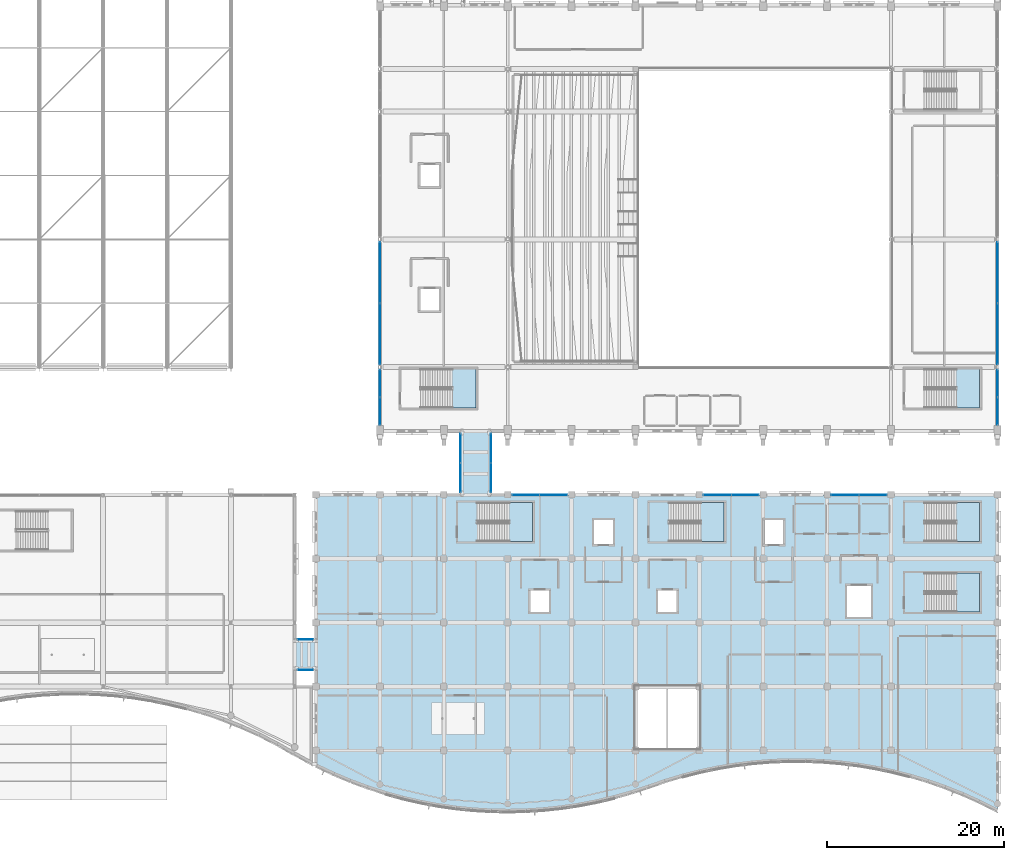
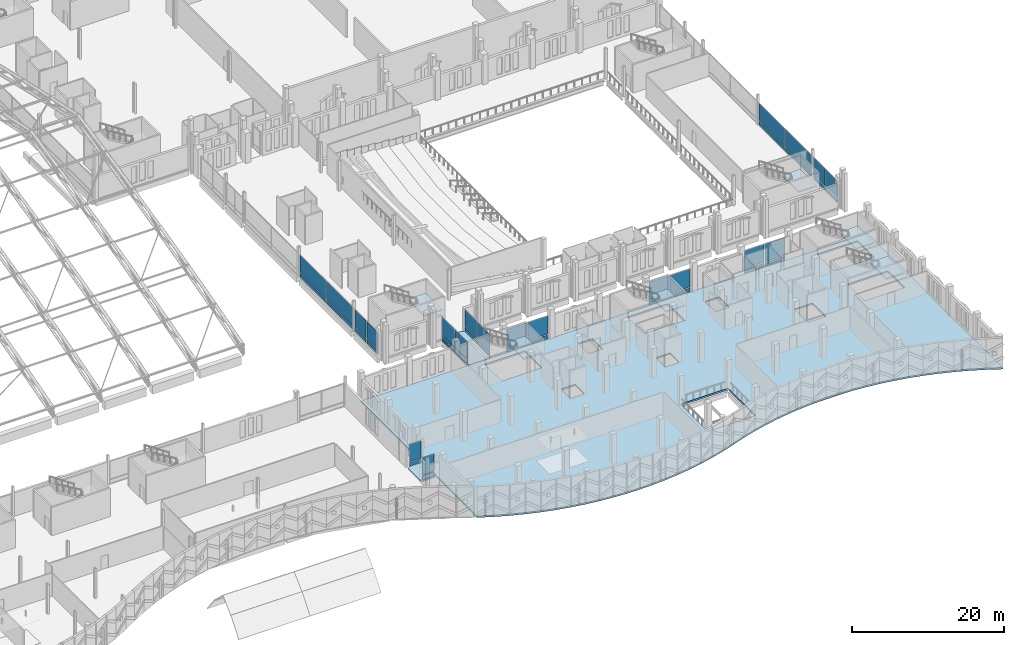
# One storey, part 117 of 193: 40 plates, 9 slabs, 17 elements without a shape of their own.
"""IFC4 building model written with IfcOpenShell, lengths in metres."""

from ifc_helpers import new_model, si_unit, direction, frame, origin, origin_2d, place, context, subcontext, project, spatial, polyline, rectangle, outline, extrude, material, layer, layer_set, type_object, element, aggregate, save


model = new_model("IFC4")

# Units and contexts
model_context = context("Model", 3, precision=1e-05, world=origin(), true_north=direction((0.0, 1.0)))
body_context = subcontext(model_context, "Body", "Model", "MODEL_VIEW")
ifc_project = project(units=[si_unit("LENGTHUNIT", "METRE"), si_unit("AREAUNIT", "SQUARE_METRE"), si_unit("VOLUMEUNIT", "CUBIC_METRE"), si_unit("PLANEANGLEUNIT", "RADIAN"), si_unit("MASSUNIT", "GRAM", prefix="KILO")], contexts=[model_context])

# Site, building, storey
site_placement = place(None, origin())
site = spatial("IfcSite", under=ifc_project, at=site_placement, CompositionType="ELEMENT")
building_placement = place(site_placement, origin())
building = spatial("IfcBuilding", under=site, at=building_placement, Name="Cendralis Lancet Convention Centre", CompositionType="ELEMENT")
storey_placement = place(building_placement, frame((0.0, 0.0, 10.199951171875)))
storey = spatial("IfcBuildingStorey", under=building, at=storey_placement, Name="L02", CompositionType="ELEMENT", Elevation=10.199951171875)

# Curtain wall, plate
ifc_material_1 = material(Name="Anodised bronze architectural aluminium", Category="aluminium")
curtain_wall_type_1 = type_object("IfcCurtainWallType", Name="ARC-CW-BR01", PredefinedType="USERDEFINED", material=ifc_material_1)
curtain_wall_1_placement = place(storey_placement, origin())
curtain_wall_1 = element("IfcCurtainWall", 1, at=curtain_wall_1_placement, inside=storey, type_object=curtain_wall_type_1, Name="L02 Curtain Wall CW-BR1 #205", ObjectType="CURTAIN WALL", PredefinedType="USERDEFINED")
ifc_material_2 = material(Name="Double-glazed low-E solar-control glass", Category="glass")
ifc_layer_1 = layer(ifc_material_2, 0.035888671875, Name="Double-glazed low-E solar-control glass")
ifc_layer_set_1 = layer_set([ifc_layer_1], Name="Double-glazed low-E solar-control glass")
plate_type_1 = type_object("IfcPlateType", Name="ARC-PL-GL01", PredefinedType="CURTAIN_PANEL", material=ifc_layer_set_1)
plate_1_placement = place(storey_placement, frame((130.800048828125, 16.280029296875, 0.81982421875), z_axis=(0.0, 0.0, 1.0), x_axis=(1.0, 0.0, 0.0)))
plate_1 = element("IfcPlate", 2, at=plate_1_placement, type_object=plate_type_1, Name="Vision Glass Panel CW2-CW-BR1-L02-205-PG0", PredefinedType="CURTAIN_PANEL", context=body_context, shape_type="SweptSolid", body=[
    extrude(rectangle(XDim=1.760009765625, YDim=0.035888671875, at=origin_2d()), origin(), (0.0, 0.0, 1.0), 2.760009765625),
])

curtain_wall_2_placement = place(storey_placement, origin())
curtain_wall_2 = element("IfcCurtainWall", 3, at=curtain_wall_2_placement, inside=storey, type_object=curtain_wall_type_1, Name="L02 Curtain Wall CW-BR1 #206", ObjectType="CURTAIN WALL", PredefinedType="USERDEFINED")
plate_2_placement = place(storey_placement, frame((130.800048828125, 19.719970703125, 0.81982421875), z_axis=(0.0, 0.0, 1.0), x_axis=(1.0, 0.0, 0.0)))
plate_2 = element("IfcPlate", 4, at=plate_2_placement, type_object=plate_type_1, Name="Vision Glass Panel CW2-CW-BR1-L02-206-PG0", PredefinedType="CURTAIN_PANEL", context=body_context, shape_type="SweptSolid", body=[
    extrude(rectangle(XDim=1.760009765625, YDim=0.035888671875, at=origin_2d()), origin(), (0.0, 0.0, 1.0), 2.760009765625),
])

# Curtain wall, plates
curtain_wall_3_placement = place(storey_placement, origin())
curtain_wall_3 = element("IfcCurtainWall", 5, at=curtain_wall_3_placement, inside=storey, type_object=curtain_wall_type_1, Name="L02 Curtain Wall CW-BR1 #215", ObjectType="CURTAIN WALL", PredefinedType="USERDEFINED")
plate_3_placement = place(storey_placement, frame((148.280029296875, 37.925048828125, 0.81982421875), z_axis=(0.0, 0.0, 1.0), x_axis=(0.0, 1.0, 0.0)))
plate_3 = element("IfcPlate", 6, at=plate_3_placement, type_object=plate_type_1, Name="Vision Glass Panel CW2-CW-BR1-L02-215-PG0", PredefinedType="CURTAIN_PANEL", context=body_context, shape_type="SweptSolid", body=[
    extrude(rectangle(XDim=3.2099609375, YDim=0.035888671875, at=origin_2d()), origin(), (0.0, 0.0, 1.0), 2.760009765625),
])
plate_4_placement = place(storey_placement, frame((148.280029296875, 41.27490234375, 0.81982421875), z_axis=(0.0, 0.0, 1.0), x_axis=(0.0, 1.0, 0.0)))
plate_4 = element("IfcPlate", 7, at=plate_4_placement, type_object=plate_type_1, Name="Vision Glass Panel CW2-CW-BR1-L02-215-PG1", PredefinedType="CURTAIN_PANEL", context=body_context, shape_type="SweptSolid", body=[
    extrude(rectangle(XDim=3.2099609375, YDim=0.035888671875, at=origin_2d()), origin(), (0.0, 0.0, 1.0), 2.760009765625),
])

curtain_wall_4_placement = place(storey_placement, origin())
curtain_wall_4 = element("IfcCurtainWall", 8, at=curtain_wall_4_placement, inside=storey, type_object=curtain_wall_type_1, Name="L02 Curtain Wall CW-BR1 #216", ObjectType="CURTAIN WALL", PredefinedType="USERDEFINED")
plate_5_placement = place(storey_placement, frame((151.719970703125, 37.925048828125, 0.81982421875), z_axis=(0.0, 0.0, 1.0), x_axis=(0.0, 1.0, 0.0)))
plate_5 = element("IfcPlate", 9, at=plate_5_placement, type_object=plate_type_1, Name="Vision Glass Panel CW2-CW-BR1-L02-216-PG0", PredefinedType="CURTAIN_PANEL", context=body_context, shape_type="SweptSolid", body=[
    extrude(rectangle(XDim=3.2099609375, YDim=0.035888671875, at=origin_2d()), origin(), (0.0, 0.0, 1.0), 2.760009765625),
])
plate_6_placement = place(storey_placement, frame((151.719970703125, 41.27490234375, 0.81982421875), z_axis=(0.0, 0.0, 1.0), x_axis=(0.0, 1.0, 0.0)))
plate_6 = element("IfcPlate", 10, at=plate_6_placement, type_object=plate_type_1, Name="Vision Glass Panel CW2-CW-BR1-L02-216-PG1", PredefinedType="CURTAIN_PANEL", context=body_context, shape_type="SweptSolid", body=[
    extrude(rectangle(XDim=3.2099609375, YDim=0.035888671875, at=origin_2d()), origin(), (0.0, 0.0, 1.0), 2.760009765625),
])

curtain_wall_type_2 = type_object("IfcCurtainWallType", Name="ARC-CW-PL02", PredefinedType="USERDEFINED", material=ifc_material_1)
curtain_wall_5_placement = place(storey_placement, origin())
curtain_wall_5 = element("IfcCurtainWall", 11, at=curtain_wall_5_placement, inside=storey, type_object=curtain_wall_type_2, Name="L02 Curtain Wall CW-PL2 #131", ObjectType="CURTAIN WALL", PredefinedType="USERDEFINED")
ifc_layer_2 = layer(ifc_material_2, 0.035888671875, Name="Double-glazed low-E solar-control glass")
ifc_layer_set_2 = layer_set([ifc_layer_2], Name="Double-glazed low-E solar-control glass")
plate_type_2 = type_object("IfcPlateType", Name="ARC-PL-GL02", PredefinedType="CURTAIN_PANEL", material=ifc_layer_set_2)
plate_7_placement = place(storey_placement, frame((208.800048828125, 48.59375, 0.830078125), z_axis=(0.0, 0.0, 1.0), x_axis=(0.0, -1.0, 0.0)))
plate_7 = element("IfcPlate", 12, at=plate_7_placement, type_object=plate_type_2, Name="Vision Glass Panel CW2-CW-PL2-L02-131-PG0", PredefinedType="CURTAIN_PANEL", context=body_context, shape_type="SweptSolid", body=[
    extrude(rectangle(XDim=3.00244140625, YDim=0.035888671875, at=origin_2d()), origin(), (0.0, 0.0, 1.0), 2.764892578125),
])
plate_8_placement = place(storey_placement, frame((208.800048828125, 45.43115234375, 0.830078125), z_axis=(0.0, 0.0, 1.0), x_axis=(0.0, -1.0, 0.0)))
plate_8 = element("IfcPlate", 13, at=plate_8_placement, type_object=plate_type_2, Name="Vision Glass Panel CW2-CW-PL2-L02-131-PG1", PredefinedType="CURTAIN_PANEL", context=body_context, shape_type="SweptSolid", body=[
    extrude(rectangle(XDim=3.00244140625, YDim=0.035888671875, at=origin_2d()), origin(), (0.0, 0.0, 1.0), 2.764892578125),
])

curtain_wall_6_placement = place(storey_placement, origin())
curtain_wall_6 = element("IfcCurtainWall", 14, at=curtain_wall_6_placement, inside=storey, type_object=curtain_wall_type_2, Name="L02 Curtain Wall CW-PL2 #132", ObjectType="CURTAIN WALL", PredefinedType="USERDEFINED")
plate_9_placement = place(storey_placement, frame((208.800048828125, 61.08740234375, 0.830078125), z_axis=(0.0, 0.0, 1.0), x_axis=(0.0, -1.0, 0.0)))
plate_9 = element("IfcPlate", 15, at=plate_9_placement, type_object=plate_type_2, Name="Vision Glass Panel CW2-CW-PL2-L02-132-PG0", PredefinedType="CURTAIN_PANEL", context=body_context, shape_type="SweptSolid", body=[
    extrude(rectangle(XDim=6.81494140625, YDim=0.035888671875, at=origin_2d()), origin(), (0.0, 0.0, 1.0), 2.764892578125),
])
plate_10_placement = place(storey_placement, frame((208.800048828125, 54.112548828125, 0.830078125), z_axis=(0.0, 0.0, 1.0), x_axis=(0.0, -1.0, 0.0)))
plate_10 = element("IfcPlate", 16, at=plate_10_placement, type_object=plate_type_2, Name="Vision Glass Panel CW2-CW-PL2-L02-132-PG1", PredefinedType="CURTAIN_PANEL", context=body_context, shape_type="SweptSolid", body=[
    extrude(rectangle(XDim=6.81494140625, YDim=0.035888671875, at=origin_2d()), origin(), (0.0, 0.0, 1.0), 2.764892578125),
])

curtain_wall_7_placement = place(storey_placement, origin())
curtain_wall_7 = element("IfcCurtainWall", 17, at=curtain_wall_7_placement, inside=storey, type_object=curtain_wall_type_2, Name="L02 Curtain Wall CW-PL2 #126", ObjectType="CURTAIN WALL", PredefinedType="USERDEFINED")
ifc_layer_3 = layer(ifc_material_2, 0.035888671875, Name="Double-glazed low-E solar-control glass")
ifc_layer_set_3 = layer_set([ifc_layer_3], Name="Double-glazed low-E solar-control glass")
plate_type_3 = type_object("IfcPlateType", Name="ARC-PL-GL03", PredefinedType="CURTAIN_PANEL", material=ifc_layer_set_3)
plate_11_placement = place(storey_placement, frame((139.199951171875, 45.43115234375, 0.8203125), z_axis=(0.0, 0.0, 1.0), x_axis=(0.0, 1.0, 0.0)))
plate_11 = element("IfcPlate", 18, at=plate_11_placement, type_object=plate_type_3, Name="Vision Glass Panel CW2-CW-PL2-L02-126-PG0", PredefinedType="CURTAIN_PANEL", context=body_context, shape_type="SweptSolid", body=[
    extrude(rectangle(XDim=3.00244140625, YDim=0.035888671875, at=origin_2d()), origin(), (0.0, 0.0, 1.0), 2.784912109375),
])
plate_12_placement = place(storey_placement, frame((139.199951171875, 48.59375, 0.8203125), z_axis=(0.0, 0.0, 1.0), x_axis=(0.0, 1.0, 0.0)))
plate_12 = element("IfcPlate", 19, at=plate_12_placement, type_object=plate_type_3, Name="Vision Glass Panel CW2-CW-PL2-L02-126-PG1", PredefinedType="CURTAIN_PANEL", context=body_context, shape_type="SweptSolid", body=[
    extrude(rectangle(XDim=3.00244140625, YDim=0.035888671875, at=origin_2d()), origin(), (0.0, 0.0, 1.0), 2.784912109375),
])

curtain_wall_8_placement = place(storey_placement, origin())
curtain_wall_8 = element("IfcCurtainWall", 20, at=curtain_wall_8_placement, inside=storey, type_object=curtain_wall_type_2, Name="L02 Curtain Wall CW-PL2 #127", ObjectType="CURTAIN WALL", PredefinedType="USERDEFINED")
plate_13_placement = place(storey_placement, frame((139.199951171875, 54.112548828125, 0.8203125), z_axis=(0.0, 0.0, 1.0), x_axis=(0.0, 1.0, 0.0)))
plate_13 = element("IfcPlate", 21, at=plate_13_placement, type_object=plate_type_3, Name="Vision Glass Panel CW2-CW-PL2-L02-127-PG0", PredefinedType="CURTAIN_PANEL", context=body_context, shape_type="SweptSolid", body=[
    extrude(rectangle(XDim=6.81494140625, YDim=0.035888671875, at=origin_2d()), origin(), (0.0, 0.0, 1.0), 2.784912109375),
])
plate_14_placement = place(storey_placement, frame((139.199951171875, 61.08740234375, 0.8203125), z_axis=(0.0, 0.0, 1.0), x_axis=(0.0, 1.0, 0.0)))
plate_14 = element("IfcPlate", 22, at=plate_14_placement, type_object=plate_type_3, Name="Vision Glass Panel CW2-CW-PL2-L02-127-PG1", PredefinedType="CURTAIN_PANEL", context=body_context, shape_type="SweptSolid", body=[
    extrude(rectangle(XDim=6.81494140625, YDim=0.035888671875, at=origin_2d()), origin(), (0.0, 0.0, 1.0), 2.784912109375),
])

curtain_wall_type_3 = type_object("IfcCurtainWallType", Name="ARC-CW-CL02", PredefinedType="USERDEFINED", material=ifc_material_1)
curtain_wall_9_placement = place(storey_placement, origin())
curtain_wall_9 = element("IfcCurtainWall", 23, at=curtain_wall_9_placement, inside=storey, type_object=curtain_wall_type_3, Name="L02 Curtain Wall CW-CL2 #185", ObjectType="CURTAIN WALL", PredefinedType="USERDEFINED")
plate_15_placement = place(storey_placement, frame((155.612548828125, 36.0, 0.81982421875), z_axis=(0.0, 0.0, 1.0), x_axis=(1.0, 0.0, 0.0)))
plate_15 = element("IfcPlate", 24, at=plate_15_placement, type_object=plate_type_3, Name="Vision Glass Panel CW2-CW-CL2-L02-185-PG0", PredefinedType="CURTAIN_PANEL", context=body_context, shape_type="SweptSolid", body=[
    extrude(rectangle(XDim=3.034912109375, YDim=0.035888671875, at=origin_2d()), origin(), (0.0, 0.0, 1.0), 2.885009765625),
])
plate_16_placement = place(storey_placement, frame((158.78759765625, 36.0, 0.81982421875), z_axis=(0.0, 0.0, 1.0), x_axis=(1.0, 0.0, 0.0)))
plate_16 = element("IfcPlate", 25, at=plate_16_placement, type_object=plate_type_3, Name="Vision Glass Panel CW2-CW-CL2-L02-185-PG1", PredefinedType="CURTAIN_PANEL", context=body_context, shape_type="SweptSolid", body=[
    extrude(rectangle(XDim=3.034912109375, YDim=0.035888671875, at=origin_2d()), origin(), (0.0, 0.0, 1.0), 2.885009765625),
])

curtain_wall_10_placement = place(storey_placement, origin())
curtain_wall_10 = element("IfcCurtainWall", 26, at=curtain_wall_10_placement, inside=storey, type_object=curtain_wall_type_3, Name="L02 Curtain Wall CW-CL2 #186", ObjectType="CURTAIN WALL", PredefinedType="USERDEFINED")
plate_17_placement = place(storey_placement, frame((177.21240234375, 36.0, 0.81982421875), z_axis=(0.0, 0.0, 1.0), x_axis=(1.0, 0.0, 0.0)))
plate_17 = element("IfcPlate", 27, at=plate_17_placement, type_object=plate_type_3, Name="Vision Glass Panel CW2-CW-CL2-L02-186-PG0", PredefinedType="CURTAIN_PANEL", context=body_context, shape_type="SweptSolid", body=[
    extrude(rectangle(XDim=3.034912109375, YDim=0.035888671875, at=origin_2d()), origin(), (0.0, 0.0, 1.0), 2.885009765625),
])
plate_18_placement = place(storey_placement, frame((180.387451171875, 36.0, 0.81982421875), z_axis=(0.0, 0.0, 1.0), x_axis=(1.0, 0.0, 0.0)))
plate_18 = element("IfcPlate", 28, at=plate_18_placement, type_object=plate_type_3, Name="Vision Glass Panel CW2-CW-CL2-L02-186-PG1", PredefinedType="CURTAIN_PANEL", context=body_context, shape_type="SweptSolid", body=[
    extrude(rectangle(XDim=3.034912109375, YDim=0.035888671875, at=origin_2d()), origin(), (0.0, 0.0, 1.0), 2.885009765625),
])

curtain_wall_11_placement = place(storey_placement, origin())
curtain_wall_11 = element("IfcCurtainWall", 29, at=curtain_wall_11_placement, inside=storey, type_object=curtain_wall_type_3, Name="L02 Curtain Wall CW-CL2 #187", ObjectType="CURTAIN WALL", PredefinedType="USERDEFINED")
plate_19_placement = place(storey_placement, frame((191.612548828125, 36.0, 0.81982421875), z_axis=(0.0, 0.0, 1.0), x_axis=(1.0, 0.0, 0.0)))
plate_19 = element("IfcPlate", 30, at=plate_19_placement, type_object=plate_type_3, Name="Vision Glass Panel CW2-CW-CL2-L02-187-PG0", PredefinedType="CURTAIN_PANEL", context=body_context, shape_type="SweptSolid", body=[
    extrude(rectangle(XDim=3.034912109375, YDim=0.035888671875, at=origin_2d()), origin(), (0.0, 0.0, 1.0), 2.885009765625),
])
plate_20_placement = place(storey_placement, frame((194.78759765625, 36.0, 0.81982421875), z_axis=(0.0, 0.0, 1.0), x_axis=(1.0, 0.0, 0.0)))
plate_20 = element("IfcPlate", 31, at=plate_20_placement, type_object=plate_type_3, Name="Vision Glass Panel CW2-CW-CL2-L02-187-PG1", PredefinedType="CURTAIN_PANEL", context=body_context, shape_type="SweptSolid", body=[
    extrude(rectangle(XDim=3.034912109375, YDim=0.035888671875, at=origin_2d()), origin(), (0.0, 0.0, 1.0), 2.885009765625),
])

# Plate
ifc_material_3 = material(Name="Insulated ceramic-fritted spandrel glass", Category="glass")
ifc_layer_4 = layer(ifc_material_3, 0.044921875, Name="Insulated ceramic-fritted spandrel glass")
ifc_layer_set_4 = layer_set([ifc_layer_4], Name="Insulated ceramic-fritted spandrel glass")
plate_type_4 = type_object("IfcPlateType", Name="ARC-PL-SP01", PredefinedType="CURTAIN_PANEL", material=ifc_layer_set_4)
plate_21_placement = place(storey_placement, frame((139.199951171875, 45.43115234375, 0.06982421875), z_axis=(0.0, 0.0, 1.0), x_axis=(0.0, 1.0, 0.0)))
plate_21 = element("IfcPlate", 32, at=plate_21_placement, type_object=plate_type_4, Name="Spandrel Panel CW2-CW-PL2-L02-126-PS0", PredefinedType="CURTAIN_PANEL", context=body_context, shape_type="SweptSolid", body=[
    extrude(rectangle(XDim=3.00244140625, YDim=0.044921875, at=origin_2d()), origin(), (0.0, 0.0, 1.0), 0.610107421875),
])

plate_22_placement = place(storey_placement, frame((139.199951171875, 48.59375, 0.06982421875), z_axis=(0.0, 0.0, 1.0), x_axis=(0.0, 1.0, 0.0)))
plate_22 = element("IfcPlate", 33, at=plate_22_placement, type_object=plate_type_4, Name="Spandrel Panel CW2-CW-PL2-L02-126-PS1", PredefinedType="CURTAIN_PANEL", context=body_context, shape_type="SweptSolid", body=[
    extrude(rectangle(XDim=3.00244140625, YDim=0.044921875, at=origin_2d()), origin(), (0.0, 0.0, 1.0), 0.610107421875),
])

aggregate(curtain_wall_7, [plate_21, plate_11, plate_22, plate_12])

plate_23_placement = place(storey_placement, frame((139.199951171875, 54.112548828125, 0.06982421875), z_axis=(0.0, 0.0, 1.0), x_axis=(0.0, 1.0, 0.0)))
plate_23 = element("IfcPlate", 34, at=plate_23_placement, type_object=plate_type_4, Name="Spandrel Panel CW2-CW-PL2-L02-127-PS0", PredefinedType="CURTAIN_PANEL", context=body_context, shape_type="SweptSolid", body=[
    extrude(rectangle(XDim=6.81494140625, YDim=0.044921875, at=origin_2d()), origin(), (0.0, 0.0, 1.0), 0.610107421875),
])

plate_24_placement = place(storey_placement, frame((139.199951171875, 61.08740234375, 0.06982421875), z_axis=(0.0, 0.0, 1.0), x_axis=(0.0, 1.0, 0.0)))
plate_24 = element("IfcPlate", 35, at=plate_24_placement, type_object=plate_type_4, Name="Spandrel Panel CW2-CW-PL2-L02-127-PS1", PredefinedType="CURTAIN_PANEL", context=body_context, shape_type="SweptSolid", body=[
    extrude(rectangle(XDim=6.81494140625, YDim=0.044921875, at=origin_2d()), origin(), (0.0, 0.0, 1.0), 0.610107421875),
])

aggregate(curtain_wall_8, [plate_23, plate_13, plate_24, plate_14])

plate_25_placement = place(storey_placement, frame((208.800048828125, 48.59375, 0.080078125), z_axis=(0.0, 0.0, 1.0), x_axis=(0.0, -1.0, 0.0)))
plate_25 = element("IfcPlate", 36, at=plate_25_placement, type_object=plate_type_4, Name="Spandrel Panel CW2-CW-PL2-L02-131-PS0", PredefinedType="CURTAIN_PANEL", context=body_context, shape_type="SweptSolid", body=[
    extrude(rectangle(XDim=3.00244140625, YDim=0.044921875, at=origin_2d()), origin(), (0.0, 0.0, 1.0), 0.590087890625),
])

plate_26_placement = place(storey_placement, frame((208.800048828125, 45.43115234375, 0.080078125), z_axis=(0.0, 0.0, 1.0), x_axis=(0.0, -1.0, 0.0)))
plate_26 = element("IfcPlate", 37, at=plate_26_placement, type_object=plate_type_4, Name="Spandrel Panel CW2-CW-PL2-L02-131-PS1", PredefinedType="CURTAIN_PANEL", context=body_context, shape_type="SweptSolid", body=[
    extrude(rectangle(XDim=3.00244140625, YDim=0.044921875, at=origin_2d()), origin(), (0.0, 0.0, 1.0), 0.590087890625),
])

aggregate(curtain_wall_5, [plate_25, plate_7, plate_26, plate_8])

plate_27_placement = place(storey_placement, frame((208.800048828125, 61.08740234375, 0.080078125), z_axis=(0.0, 0.0, 1.0), x_axis=(0.0, -1.0, 0.0)))
plate_27 = element("IfcPlate", 38, at=plate_27_placement, type_object=plate_type_4, Name="Spandrel Panel CW2-CW-PL2-L02-132-PS0", PredefinedType="CURTAIN_PANEL", context=body_context, shape_type="SweptSolid", body=[
    extrude(rectangle(XDim=6.81494140625, YDim=0.044921875, at=origin_2d()), origin(), (0.0, 0.0, 1.0), 0.590087890625),
])

plate_28_placement = place(storey_placement, frame((208.800048828125, 54.112548828125, 0.080078125), z_axis=(0.0, 0.0, 1.0), x_axis=(0.0, -1.0, 0.0)))
plate_28 = element("IfcPlate", 39, at=plate_28_placement, type_object=plate_type_4, Name="Spandrel Panel CW2-CW-PL2-L02-132-PS1", PredefinedType="CURTAIN_PANEL", context=body_context, shape_type="SweptSolid", body=[
    extrude(rectangle(XDim=6.81494140625, YDim=0.044921875, at=origin_2d()), origin(), (0.0, 0.0, 1.0), 0.590087890625),
])

aggregate(curtain_wall_6, [plate_27, plate_9, plate_28, plate_10])

plate_29_placement = place(storey_placement, frame((155.612548828125, 36.0, 0.06982421875), z_axis=(0.0, 0.0, 1.0), x_axis=(1.0, 0.0, 0.0)))
plate_29 = element("IfcPlate", 40, at=plate_29_placement, type_object=plate_type_4, Name="Spandrel Panel CW2-CW-CL2-L02-185-PS0", PredefinedType="CURTAIN_PANEL", context=body_context, shape_type="SweptSolid", body=[
    extrude(rectangle(XDim=3.034912109375, YDim=0.044921875, at=origin_2d()), origin(), (0.0, 0.0, 1.0), 0.610107421875),
])

plate_30_placement = place(storey_placement, frame((158.78759765625, 36.0, 0.06982421875), z_axis=(0.0, 0.0, 1.0), x_axis=(1.0, 0.0, 0.0)))
plate_30 = element("IfcPlate", 41, at=plate_30_placement, type_object=plate_type_4, Name="Spandrel Panel CW2-CW-CL2-L02-185-PS1", PredefinedType="CURTAIN_PANEL", context=body_context, shape_type="SweptSolid", body=[
    extrude(rectangle(XDim=3.034912109375, YDim=0.044921875, at=origin_2d()), origin(), (0.0, 0.0, 1.0), 0.610107421875),
])

aggregate(curtain_wall_9, [plate_29, plate_15, plate_30, plate_16])

plate_31_placement = place(storey_placement, frame((177.21240234375, 36.0, 0.06982421875), z_axis=(0.0, 0.0, 1.0), x_axis=(1.0, 0.0, 0.0)))
plate_31 = element("IfcPlate", 42, at=plate_31_placement, type_object=plate_type_4, Name="Spandrel Panel CW2-CW-CL2-L02-186-PS0", PredefinedType="CURTAIN_PANEL", context=body_context, shape_type="SweptSolid", body=[
    extrude(rectangle(XDim=3.034912109375, YDim=0.044921875, at=origin_2d()), origin(), (0.0, 0.0, 1.0), 0.610107421875),
])

plate_32_placement = place(storey_placement, frame((180.387451171875, 36.0, 0.06982421875), z_axis=(0.0, 0.0, 1.0), x_axis=(1.0, 0.0, 0.0)))
plate_32 = element("IfcPlate", 43, at=plate_32_placement, type_object=plate_type_4, Name="Spandrel Panel CW2-CW-CL2-L02-186-PS1", PredefinedType="CURTAIN_PANEL", context=body_context, shape_type="SweptSolid", body=[
    extrude(rectangle(XDim=3.034912109375, YDim=0.044921875, at=origin_2d()), origin(), (0.0, 0.0, 1.0), 0.610107421875),
])

aggregate(curtain_wall_10, [plate_31, plate_17, plate_32, plate_18])

plate_33_placement = place(storey_placement, frame((191.612548828125, 36.0, 0.06982421875), z_axis=(0.0, 0.0, 1.0), x_axis=(1.0, 0.0, 0.0)))
plate_33 = element("IfcPlate", 44, at=plate_33_placement, type_object=plate_type_4, Name="Spandrel Panel CW2-CW-CL2-L02-187-PS0", PredefinedType="CURTAIN_PANEL", context=body_context, shape_type="SweptSolid", body=[
    extrude(rectangle(XDim=3.034912109375, YDim=0.044921875, at=origin_2d()), origin(), (0.0, 0.0, 1.0), 0.610107421875),
])

plate_34_placement = place(storey_placement, frame((194.78759765625, 36.0, 0.06982421875), z_axis=(0.0, 0.0, 1.0), x_axis=(1.0, 0.0, 0.0)))
plate_34 = element("IfcPlate", 45, at=plate_34_placement, type_object=plate_type_4, Name="Spandrel Panel CW2-CW-CL2-L02-187-PS1", PredefinedType="CURTAIN_PANEL", context=body_context, shape_type="SweptSolid", body=[
    extrude(rectangle(XDim=3.034912109375, YDim=0.044921875, at=origin_2d()), origin(), (0.0, 0.0, 1.0), 0.610107421875),
])

aggregate(curtain_wall_11, [plate_33, plate_19, plate_34, plate_20])

plate_35_placement = place(storey_placement, frame((130.800048828125, 16.280029296875, 0.06982421875), z_axis=(0.0, 0.0, 1.0), x_axis=(1.0, 0.0, 0.0)))
plate_35 = element("IfcPlate", 46, at=plate_35_placement, type_object=plate_type_4, Name="Spandrel Panel CW2-CW-BR1-L02-205-PS0", PredefinedType="CURTAIN_PANEL", context=body_context, shape_type="SweptSolid", body=[
    extrude(rectangle(XDim=1.760009765625, YDim=0.044921875, at=origin_2d()), origin(), (0.0, 0.0, 1.0), 0.610107421875),
])

aggregate(curtain_wall_1, [plate_35, plate_1])

plate_36_placement = place(storey_placement, frame((130.800048828125, 19.719970703125, 0.06982421875), z_axis=(0.0, 0.0, 1.0), x_axis=(1.0, 0.0, 0.0)))
plate_36 = element("IfcPlate", 47, at=plate_36_placement, type_object=plate_type_4, Name="Spandrel Panel CW2-CW-BR1-L02-206-PS0", PredefinedType="CURTAIN_PANEL", context=body_context, shape_type="SweptSolid", body=[
    extrude(rectangle(XDim=1.760009765625, YDim=0.044921875, at=origin_2d()), origin(), (0.0, 0.0, 1.0), 0.610107421875),
])

aggregate(curtain_wall_2, [plate_36, plate_2])

plate_37_placement = place(storey_placement, frame((148.280029296875, 37.925048828125, 0.06982421875), z_axis=(0.0, 0.0, 1.0), x_axis=(0.0, 1.0, 0.0)))
plate_37 = element("IfcPlate", 48, at=plate_37_placement, type_object=plate_type_4, Name="Spandrel Panel CW2-CW-BR1-L02-215-PS0", PredefinedType="CURTAIN_PANEL", context=body_context, shape_type="SweptSolid", body=[
    extrude(rectangle(XDim=3.2099609375, YDim=0.044921875, at=origin_2d()), origin(), (0.0, 0.0, 1.0), 0.610107421875),
])

plate_38_placement = place(storey_placement, frame((148.280029296875, 41.27490234375, 0.06982421875), z_axis=(0.0, 0.0, 1.0), x_axis=(0.0, 1.0, 0.0)))
plate_38 = element("IfcPlate", 49, at=plate_38_placement, type_object=plate_type_4, Name="Spandrel Panel CW2-CW-BR1-L02-215-PS1", PredefinedType="CURTAIN_PANEL", context=body_context, shape_type="SweptSolid", body=[
    extrude(rectangle(XDim=3.2099609375, YDim=0.044921875, at=origin_2d()), origin(), (0.0, 0.0, 1.0), 0.610107421875),
])

aggregate(curtain_wall_3, [plate_37, plate_3, plate_38, plate_4])

plate_39_placement = place(storey_placement, frame((151.719970703125, 37.925048828125, 0.06982421875), z_axis=(0.0, 0.0, 1.0), x_axis=(0.0, 1.0, 0.0)))
plate_39 = element("IfcPlate", 50, at=plate_39_placement, type_object=plate_type_4, Name="Spandrel Panel CW2-CW-BR1-L02-216-PS0", PredefinedType="CURTAIN_PANEL", context=body_context, shape_type="SweptSolid", body=[
    extrude(rectangle(XDim=3.2099609375, YDim=0.044921875, at=origin_2d()), origin(), (0.0, 0.0, 1.0), 0.610107421875),
])

plate_40_placement = place(storey_placement, frame((151.719970703125, 41.27490234375, 0.06982421875), z_axis=(0.0, 0.0, 1.0), x_axis=(0.0, 1.0, 0.0)))
plate_40 = element("IfcPlate", 51, at=plate_40_placement, type_object=plate_type_4, Name="Spandrel Panel CW2-CW-BR1-L02-216-PS1", PredefinedType="CURTAIN_PANEL", context=body_context, shape_type="SweptSolid", body=[
    extrude(rectangle(XDim=3.2099609375, YDim=0.044921875, at=origin_2d()), origin(), (0.0, 0.0, 1.0), 0.610107421875),
])

aggregate(curtain_wall_4, [plate_39, plate_5, plate_40, plate_6])

# Slabs
ifc_material_4 = material(Name="Concrete G35 (C35/45)", Category="concrete")
ifc_layer_5 = layer(ifc_material_4, 0.219970703125, Name="Concrete G35 (C35/45)")
ifc_layer_set_5 = layer_set([ifc_layer_5], Name="Concrete G35 (C35/45)")
slab_type_1 = type_object("IfcSlabType", Name="STR-SL-FS22", PredefinedType="FLOOR", material=ifc_layer_set_5)
slab_1_placement = place(storey_placement, frame((0.0, 0.0, -0.219970703125)))
element("IfcSlab", 52, at=slab_1_placement, inside=storey, type_object=slab_type_1, Name="Boulevard Foyer-Dining Link Bridge Link Slab L02", PredefinedType="FLOOR", context=body_context, shape_type="SweptSolid", body=[
    extrude(outline(polyline([(129.949951171875, 16.199951171875), (131.64990234375, 16.199951171875), (132.0, 16.550048828125), (132.0, 19.449951171875), (131.64990234375, 19.800048828125), (129.949951171875, 19.800048828125), (129.60009765625, 19.449951171875), (129.60009765625, 16.550048828125), (129.949951171875, 16.199951171875)])), origin(), (0.0, 0.0, 1.0), 0.219970703125),
])
slab_2_placement = place(storey_placement, frame((0.0, 0.0, -0.219970703125)))
element("IfcSlab", 53, at=slab_2_placement, inside=storey, type_object=slab_type_1, Name="East Promenade Covered Passage Link Slab L02", PredefinedType="FLOOR", context=body_context, shape_type="SweptSolid", body=[
    extrude(outline(polyline([(148.550048828125, 36.0), (151.449951171875, 36.0), (151.800048828125, 36.35009765625), (151.800048828125, 42.85009765625), (151.449951171875, 43.199951171875), (148.550048828125, 43.199951171875), (148.199951171875, 42.85009765625), (148.199951171875, 36.35009765625), (148.550048828125, 36.0)])), origin(), (0.0, 0.0, 1.0), 0.219970703125),
])
ifc_layer_6 = layer(ifc_material_4, 0.260009765625, Name="Concrete G35 (C35/45)")
ifc_layer_set_6 = layer_set([ifc_layer_6], Name="Concrete G35 (C35/45)")
slab_type_2 = type_object("IfcSlabType", Name="STR-SL-FS26", PredefinedType="FLOOR", material=ifc_layer_set_6)
slab_3_placement = place(storey_placement, frame((0.0, 0.0, -0.260009765625)))
element("IfcSlab", 54, at=slab_3_placement, inside=storey, type_object=slab_type_2, Name="L02 V5 Floor Slab FS-260", PredefinedType="FLOOR", context=body_context, shape_type="SweptSolid", body=[
    extrude(outline(polyline([(132.0, 5.56005859375), (133.968994140625, 4.6259765625), (135.93798828125, 3.798095703125), (137.907958984375, 3.071044921875), (139.876953125, 2.43896484375), (141.845947265625, 1.89892578125), (143.81494140625, 1.447998046875), (145.784912109375, 1.08203125), (147.75390625, 0.801025390625), (149.722900390625, 0.60302734375), (151.69189453125, 0.486083984375), (153.662109375, 0.449951171875), (155.631103515625, 0.4951171875), (157.60009765625, 0.62109375), (159.569091796875, 0.8291015625), (161.5380859375, 1.118896484375), (163.508056640625, 1.493896484375), (165.47705078125, 1.955078125), (167.446044921875, 2.5048828125), (169.4150390625, 3.14697265625), (171.385009765625, 3.825927734375), (173.35400390625, 4.416015625), (175.322998046875, 4.916015625), (177.2919921875, 5.327880859375), (179.261962890625, 5.655029296875), (181.23095703125, 5.89794921875), (183.199951171875, 6.06005859375), (185.1689453125, 6.139892578125), (187.137939453125, 6.139892578125), (189.10791015625, 6.05810546875), (191.076904296875, 5.89501953125), (193.0458984375, 5.64990234375), (195.014892578125, 5.322021484375), (196.985107421875, 4.907958984375), (198.9541015625, 4.407958984375), (200.923095703125, 3.81591796875), (202.89208984375, 3.131103515625), (204.862060546875, 2.347900390625), (206.8310546875, 1.4609375), (208.800048828125, 0.464111328125), (208.800048828125, 36.0), (132.0, 36.0), (132.0, 5.56005859375)]), holes=[polyline([(168.0, 7.199951171875), (175.199951171875, 7.199951171875), (175.199951171875, 14.39990234375), (168.0, 14.39990234375), (168.0, 7.199951171875)]), polyline([(150.31005859375, 30.75), (156.39990234375, 30.75), (156.39990234375, 35.1298828125), (150.31005859375, 35.1298828125), (150.31005859375, 30.75)]), polyline([(171.909912109375, 30.75), (178.0, 30.75), (178.0, 35.1298828125), (171.909912109375, 35.1298828125), (171.909912109375, 30.75)]), polyline([(200.7099609375, 22.800048828125), (206.800048828125, 22.800048828125), (206.800048828125, 27.179931640625), (200.7099609375, 27.179931640625), (200.7099609375, 22.800048828125)]), polyline([(200.7099609375, 30.75), (206.800048828125, 30.75), (206.800048828125, 35.1298828125), (200.7099609375, 35.1298828125), (200.7099609375, 30.75)]), polyline([(163.35009765625, 30.449951171875), (165.449951171875, 30.449951171875), (165.449951171875, 33.14990234375), (163.35009765625, 33.14990234375), (163.35009765625, 30.449951171875)]), polyline([(182.550048828125, 30.449951171875), (184.64990234375, 30.449951171875), (184.64990234375, 33.14990234375), (182.550048828125, 33.14990234375), (182.550048828125, 30.449951171875)]), polyline([(156.14990234375, 22.800048828125), (158.25, 22.800048828125), (158.25, 25.199951171875), (156.14990234375, 25.199951171875), (156.14990234375, 22.800048828125)]), polyline([(170.550048828125, 22.800048828125), (172.64990234375, 22.800048828125), (172.64990234375, 25.199951171875), (170.550048828125, 25.199951171875), (170.550048828125, 22.800048828125)]), polyline([(191.85009765625, 22.25), (194.550048828125, 22.25), (194.550048828125, 25.75), (191.85009765625, 25.75), (191.85009765625, 22.25)])]), origin(), (0.0, 0.0, 1.0), 0.260009765625),
])

# Stair, slab
stair_type = type_object("IfcStairType", Name="ARC-ST-CORE", PredefinedType="HALF_TURN_STAIR", material=ifc_material_4)
stair_1_placement = place(storey_placement, origin())
stair_1 = element("IfcStair", 55, at=stair_1_placement, inside=storey, type_object=stair_type, Name="L02 Protected Exit Stair ST-08", PredefinedType="HALF_TURN_STAIR")
ifc_layer_7 = layer(ifc_material_4, 0.199951171875, Name="Concrete G35 (C35/45)")
ifc_layer_set_7 = layer_set([ifc_layer_7], Name="Concrete G35 (C35/45)")
slab_type_3 = type_object("IfcSlabType", Name="STR-SL-LAND", PredefinedType="LANDING", material=ifc_layer_set_7)
slab_4_placement = place(storey_placement, frame((0.0, 0.0, 2.199951171875)))
slab_4 = element("IfcSlab", 56, at=slab_4_placement, type_object=slab_type_3, Name="ST-08 landing 1", PredefinedType="LANDING", context=body_context, shape_type="SweptSolid", body=[
    extrude(outline(polyline([(147.22998046875, 45.800048828125), (150.0, 45.800048828125), (150.0, 50.179931640625), (147.22998046875, 50.179931640625), (147.22998046875, 45.800048828125)])), origin(), (0.0, 0.0, 1.0), 0.2001953125),
])
aggregate(stair_1, [slab_4])

stair_2_placement = place(storey_placement, origin())
stair_2 = element("IfcStair", 57, at=stair_2_placement, inside=storey, type_object=stair_type, Name="L02 Protected Exit Stair ST-09", PredefinedType="HALF_TURN_STAIR")
slab_5_placement = place(storey_placement, frame((0.0, 0.0, 2.199951171875)))
slab_5 = element("IfcSlab", 58, at=slab_5_placement, type_object=slab_type_3, Name="ST-09 landing 1", PredefinedType="LANDING", context=body_context, shape_type="SweptSolid", body=[
    extrude(outline(polyline([(204.030029296875, 45.800048828125), (206.800048828125, 45.800048828125), (206.800048828125, 50.179931640625), (204.030029296875, 50.179931640625), (204.030029296875, 45.800048828125)])), origin(), (0.0, 0.0, 1.0), 0.2001953125),
])
aggregate(stair_2, [slab_5])

stair_3_placement = place(storey_placement, origin())
stair_3 = element("IfcStair", 59, at=stair_3_placement, inside=storey, type_object=stair_type, Name="L02 Protected Exit Stair ST-13", PredefinedType="HALF_TURN_STAIR")
slab_6_placement = place(storey_placement, frame((0.0, 0.0, 2.199951171875)))
slab_6 = element("IfcSlab", 60, at=slab_6_placement, type_object=slab_type_3, Name="ST-13 landing 1", PredefinedType="LANDING", context=body_context, shape_type="SweptSolid", body=[
    extrude(outline(polyline([(153.6298828125, 30.75), (156.39990234375, 30.75), (156.39990234375, 35.1298828125), (153.6298828125, 35.1298828125), (153.6298828125, 30.75)])), origin(), (0.0, 0.0, 1.0), 0.2001953125),
])
aggregate(stair_3, [slab_6])

stair_4_placement = place(storey_placement, origin())
stair_4 = element("IfcStair", 61, at=stair_4_placement, inside=storey, type_object=stair_type, Name="L02 Protected Exit Stair ST-14", PredefinedType="HALF_TURN_STAIR")
slab_7_placement = place(storey_placement, frame((0.0, 0.0, 2.199951171875)))
slab_7 = element("IfcSlab", 62, at=slab_7_placement, type_object=slab_type_3, Name="ST-14 landing 1", PredefinedType="LANDING", context=body_context, shape_type="SweptSolid", body=[
    extrude(outline(polyline([(175.22998046875, 30.75), (178.0, 30.75), (178.0, 35.1298828125), (175.22998046875, 35.1298828125), (175.22998046875, 30.75)])), origin(), (0.0, 0.0, 1.0), 0.2001953125),
])
aggregate(stair_4, [slab_7])

stair_5_placement = place(storey_placement, origin())
stair_5 = element("IfcStair", 63, at=stair_5_placement, inside=storey, type_object=stair_type, Name="L02 Protected Exit Stair ST-15", PredefinedType="HALF_TURN_STAIR")
slab_8_placement = place(storey_placement, frame((0.0, 0.0, 2.199951171875)))
slab_8 = element("IfcSlab", 64, at=slab_8_placement, type_object=slab_type_3, Name="ST-15 landing 1", PredefinedType="LANDING", context=body_context, shape_type="SweptSolid", body=[
    extrude(outline(polyline([(204.030029296875, 22.800048828125), (206.800048828125, 22.800048828125), (206.800048828125, 27.179931640625), (204.030029296875, 27.179931640625), (204.030029296875, 22.800048828125)])), origin(), (0.0, 0.0, 1.0), 0.2001953125),
])
aggregate(stair_5, [slab_8])

stair_6_placement = place(storey_placement, origin())
stair_6 = element("IfcStair", 65, at=stair_6_placement, inside=storey, type_object=stair_type, Name="L02 Protected Exit Stair ST-16", PredefinedType="HALF_TURN_STAIR")
slab_9_placement = place(storey_placement, frame((0.0, 0.0, 2.199951171875)))
slab_9 = element("IfcSlab", 66, at=slab_9_placement, type_object=slab_type_3, Name="ST-16 landing 1", PredefinedType="LANDING", context=body_context, shape_type="SweptSolid", body=[
    extrude(outline(polyline([(204.030029296875, 30.75), (206.800048828125, 30.75), (206.800048828125, 35.1298828125), (204.030029296875, 35.1298828125), (204.030029296875, 30.75)])), origin(), (0.0, 0.0, 1.0), 0.2001953125),
])
aggregate(stair_6, [slab_9])

save(model, "model.ifc")
